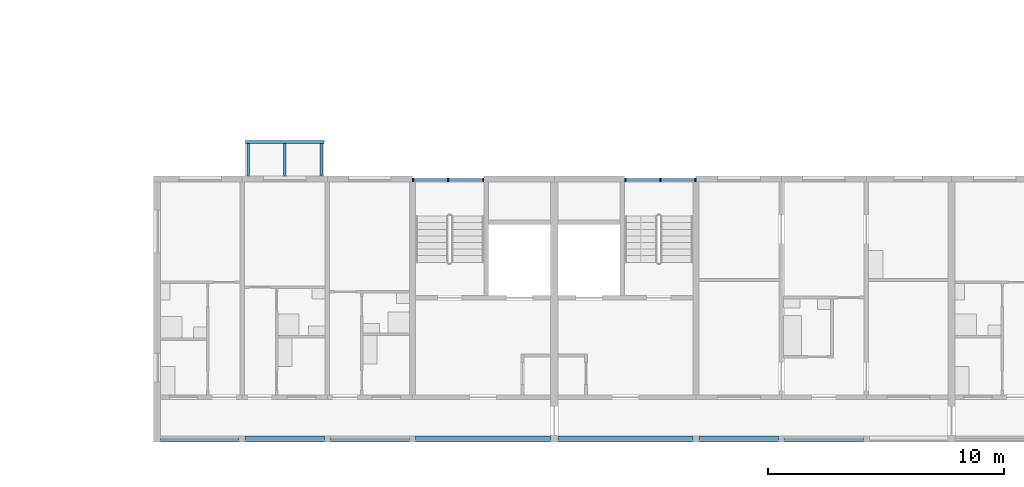
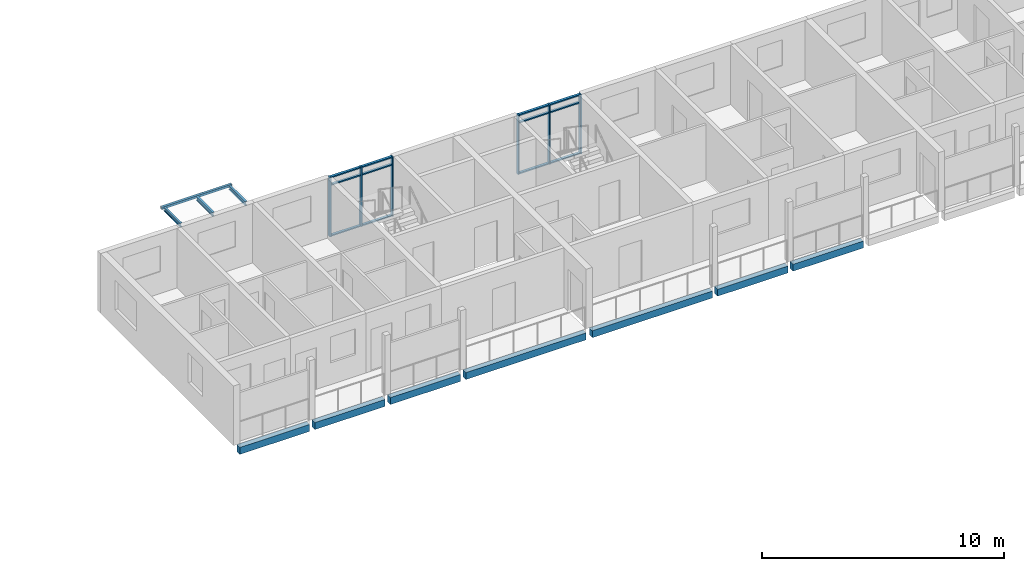
# One storey, part 13 of 93: 18 members, 11 beams, 2 elements without a shape of their own.
"""IFC4 building model written with IfcOpenShell, lengths in metres."""

from ifc_helpers import new_model, si_unit, direction, frame, origin, origin_2d, place, context, subcontext, project, spatial, rectangle, hollow_rectangle, i_section, extrude, material, material_profile, profile_set, type_object, element, aggregate, save


model = new_model("IFC4")

# Units and contexts
model_context = context("Model", 3, precision=1e-05, world=origin(), true_north=direction((0.0, 1.0)))
body_context = subcontext(model_context, "Body", "Model", "MODEL_VIEW")
ifc_project = project(units=[si_unit("LENGTHUNIT", "METRE"), si_unit("AREAUNIT", "SQUARE_METRE"), si_unit("VOLUMEUNIT", "CUBIC_METRE"), si_unit("PLANEANGLEUNIT", "RADIAN"), si_unit("MASSUNIT", "GRAM", prefix="KILO")], contexts=[model_context])

# Site, building, storey
site_placement = place(None, origin())
site = spatial("IfcSite", under=ifc_project, at=site_placement, CompositionType="ELEMENT")
building_placement = place(site_placement, origin())
building = spatial("IfcBuilding", under=site, at=building_placement, Name="Ridgestep Commons", CompositionType="ELEMENT")
storey_placement = place(building_placement, frame((0.0, 0.0, 18.0)))
storey = spatial("IfcBuildingStorey", under=building, at=storey_placement, Name="L06", CompositionType="ELEMENT", Elevation=18.0)

# Beams
ifc_material_1 = material(Name="Precast concrete C40/50", Category="concrete")
ifc_material_profile_1 = material_profile(ifc_material_1, rectangle(XDim=0.25, YDim=0.35009765625, at=origin_2d()), Name="PC 250x350")
ifc_profile_set_1 = profile_set([ifc_material_profile_1], Name="Precast concrete C40/50")
beam_type_1 = type_object("IfcBeamType", Name="Loggia edge beam 250 x 350", PredefinedType="SPANDREL", material=ifc_profile_set_1)
beam_1_placement = place(storey_placement, frame((146.949951171875, 11.875, -0.375), z_axis=(1.0, 0.0, 0.0), x_axis=(0.0, 1.0, 0.0)))
element("IfcBeam", 1, at=beam_1_placement, inside=storey, type_object=beam_type_1, Name="Loggia edge beam D1T1 L06", PredefinedType="SPANDREL", context=body_context, shape_type="SweptSolid", body=[
    extrude(rectangle(XDim=0.25, YDim=0.35009765625, at=origin_2d()), origin(), (0.0, 0.0, 1.0), 3.324951171875),
])
for number, where, z_axis, x_axis, name in (
    (2, (150.52490234375, 11.875, -0.375), (1.0, 0.0, 0.0), (0.0, 1.0, 0.0), "Loggia edge beam D1T2 L06"),
    (3, (154.125, 11.875, -0.375), (1.0, 0.0, 0.0), (0.0, 1.0, 0.0), "Loggia edge beam D1T3 L06"),
):
    element("IfcBeam", number, at=place(storey_placement, frame(where, z_axis=z_axis, x_axis=x_axis)), inside=storey, type_object=beam_type_1, Name=name, PredefinedType="SPANDREL", context=body_context, shape_type="SweptSolid", body=[
        extrude(rectangle(XDim=0.25, YDim=0.35009765625, at=origin_2d()), origin(), (0.0, 0.0, 1.0), 3.35009765625),
    ])
beam_2_placement = place(storey_placement, frame((157.72509765625, 11.875, -0.375), z_axis=(1.0, 0.0, 0.0), x_axis=(0.0, 1.0, 0.0)))
element("IfcBeam", 4, at=beam_2_placement, inside=storey, type_object=beam_type_1, Name="Loggia edge beam D1C L06", PredefinedType="SPANDREL", context=body_context, shape_type="SweptSolid", body=[
    extrude(rectangle(XDim=0.25, YDim=0.35009765625, at=origin_2d()), origin(), (0.0, 0.0, 1.0), 5.724853515625),
])
beam_3_placement = place(storey_placement, frame((163.75, 11.875, -0.375), z_axis=(1.0, 0.0, 0.0), x_axis=(0.0, 1.0, 0.0)))
element("IfcBeam", 5, at=beam_3_placement, inside=storey, type_object=beam_type_1, Name="Loggia edge beam D2C L06", PredefinedType="SPANDREL", context=body_context, shape_type="SweptSolid", body=[
    extrude(rectangle(XDim=0.25, YDim=0.35009765625, at=origin_2d()), origin(), (0.0, 0.0, 1.0), 5.72509765625),
])
beam_4_placement = place(storey_placement, frame((169.72509765625, 11.875, -0.375), z_axis=(1.0, 0.0, 0.0), x_axis=(0.0, 1.0, 0.0)))
element("IfcBeam", 6, at=beam_4_placement, inside=storey, type_object=beam_type_1, Name="Loggia edge beam D2T3 L06", PredefinedType="SPANDREL", context=body_context, shape_type="SweptSolid", body=[
    extrude(rectangle(XDim=0.25, YDim=0.35009765625, at=origin_2d()), origin(), (0.0, 0.0, 1.0), 3.349853515625),
])
beam_5_placement = place(storey_placement, frame((173.324951171875, 11.875, -0.375), z_axis=(1.0, 0.0, 0.0), x_axis=(0.0, 1.0, 0.0)))
element("IfcBeam", 7, at=beam_5_placement, inside=storey, type_object=beam_type_1, Name="Loggia edge beam D2T2 L06", PredefinedType="SPANDREL", context=body_context, shape_type="SweptSolid", body=[
    extrude(rectangle(XDim=0.25, YDim=0.35009765625, at=origin_2d()), origin(), (0.0, 0.0, 1.0), 3.35009765625),
])

# Curtain wall, members
ifc_material_2 = material(Name="Aluminium 6063-T6 and glass", Category="aluminium")
curtain_wall_type = type_object("IfcCurtainWallType", Name="Curtain wall stair strip", PredefinedType="NOTDEFINED", material=ifc_material_2)
curtain_wall_1_placement = place(storey_placement, origin())
curtain_wall_1 = element("IfcCurtainWall", 8, at=curtain_wall_1_placement, inside=storey, type_object=curtain_wall_type, Name="Curtain wall D1C level 06", PredefinedType="NOTDEFINED")
ifc_material_3 = material(Name="Aluminium 6063-T6", Category="aluminium")
ifc_material_profile_2 = material_profile(ifc_material_3, rectangle(XDim=0.159912109375, YDim=0.06005859375, at=origin_2d()), Name="Mullion 60 x 160")
ifc_profile_set_2 = profile_set([ifc_material_profile_2], Name="Aluminium 6063-T6")
member_type_1 = type_object("IfcMemberType", Name="Mullion 60 x 160", PredefinedType="MULLION", material=ifc_profile_set_2)
member_1_placement = place(storey_placement, frame((157.6298828125, 22.830078125, 0.0), z_axis=(0.0, 0.0, 1.0), x_axis=(0.0, 1.0, 0.0)))
member_1 = element("IfcMember", 9, at=member_1_placement, type_object=member_type_1, Name="CW1 mullion 1", PredefinedType="MULLION", context=body_context, shape_type="SweptSolid", body=[
    extrude(rectangle(XDim=0.159912109375, YDim=0.06005859375, at=origin_2d()), origin(), (0.0, 0.0, 1.0), 3.0),
])
member_2_placement = place(storey_placement, frame((159.112548828125, 22.830078125, 0.0), z_axis=(0.0, 0.0, 1.0), x_axis=(0.0, 1.0, 0.0)))
member_2 = element("IfcMember", 10, at=member_2_placement, type_object=member_type_1, Name="CW1 mullion 2", PredefinedType="MULLION", context=body_context, shape_type="SweptSolid", body=[
    extrude(rectangle(XDim=0.159912109375, YDim=0.06005859375, at=origin_2d()), origin(), (0.0, 0.0, 1.0), 3.0),
])
member_3_placement = place(storey_placement, frame((160.594970703125, 22.830078125, 0.0), z_axis=(0.0, 0.0, 1.0), x_axis=(0.0, 1.0, 0.0)))
member_3 = element("IfcMember", 11, at=member_3_placement, type_object=member_type_1, Name="CW1 mullion 3", PredefinedType="MULLION", context=body_context, shape_type="SweptSolid", body=[
    extrude(rectangle(XDim=0.159912109375, YDim=0.06005859375, at=origin_2d()), origin(), (0.0, 0.0, 1.0), 3.0),
])

curtain_wall_2_placement = place(storey_placement, origin())
curtain_wall_2 = element("IfcCurtainWall", 12, at=curtain_wall_2_placement, inside=storey, type_object=curtain_wall_type, Name="Curtain wall D2C level 06", PredefinedType="NOTDEFINED")
member_4_placement = place(storey_placement, frame((166.60498046875, 22.830078125, 0.0), z_axis=(0.0, 0.0, 1.0), x_axis=(0.0, 1.0, 0.0)))
member_4 = element("IfcMember", 13, at=member_4_placement, type_object=member_type_1, Name="CW1 mullion 1", PredefinedType="MULLION", context=body_context, shape_type="SweptSolid", body=[
    extrude(rectangle(XDim=0.159912109375, YDim=0.06005859375, at=origin_2d()), origin(), (0.0, 0.0, 1.0), 3.0),
])
member_5_placement = place(storey_placement, frame((168.08740234375, 22.830078125, 0.0), z_axis=(0.0, 0.0, 1.0), x_axis=(0.0, 1.0, 0.0)))
member_5 = element("IfcMember", 14, at=member_5_placement, type_object=member_type_1, Name="CW1 mullion 2", PredefinedType="MULLION", context=body_context, shape_type="SweptSolid", body=[
    extrude(rectangle(XDim=0.159912109375, YDim=0.06005859375, at=origin_2d()), origin(), (0.0, 0.0, 1.0), 3.0),
])
member_6_placement = place(storey_placement, frame((169.570068359375, 22.830078125, 0.0), z_axis=(0.0, 0.0, 1.0), x_axis=(0.0, 1.0, 0.0)))
member_6 = element("IfcMember", 15, at=member_6_placement, type_object=member_type_1, Name="CW1 mullion 3", PredefinedType="MULLION", context=body_context, shape_type="SweptSolid", body=[
    extrude(rectangle(XDim=0.159912109375, YDim=0.06005859375, at=origin_2d()), origin(), (0.0, 0.0, 1.0), 3.0),
])

# Member
ifc_material_4 = material(Name="Aluminium 6063-T6", Category="aluminium")
ifc_material_profile_3 = material_profile(ifc_material_4, rectangle(XDim=0.1201171875, YDim=0.06005859375, at=origin_2d()), Name="Transom 60 x 120")
ifc_profile_set_3 = profile_set([ifc_material_profile_3], Name="Aluminium 6063-T6")
member_type_2 = type_object("IfcMemberType", Name="Transom 60 x 120", PredefinedType="USERDEFINED", material=ifc_profile_set_3)
member_7_placement = place(storey_placement, frame((157.659912109375, 22.830078125, 0.030029296875), z_axis=(1.0, 0.0, 0.0), x_axis=(0.0, 1.0, 0.0)))
member_7 = element("IfcMember", 16, at=member_7_placement, type_object=member_type_2, Name="CW1 transom 1.1", ObjectType="TRANSOM", PredefinedType="USERDEFINED", context=body_context, shape_type="SweptSolid", body=[
    extrude(rectangle(XDim=0.1201171875, YDim=0.06005859375, at=origin_2d()), origin(), (0.0, 0.0, 1.0), 1.422607421875),
])

member_8_placement = place(storey_placement, frame((157.659912109375, 22.830078125, 2.590087890625), z_axis=(1.0, 0.0, 0.0), x_axis=(0.0, 1.0, 0.0)))
member_8 = element("IfcMember", 17, at=member_8_placement, type_object=member_type_2, Name="CW1 transom 1.2", ObjectType="TRANSOM", PredefinedType="USERDEFINED", context=body_context, shape_type="SweptSolid", body=[
    extrude(rectangle(XDim=0.1201171875, YDim=0.06005859375, at=origin_2d()), origin(), (0.0, 0.0, 1.0), 1.422607421875),
])

member_9_placement = place(storey_placement, frame((157.659912109375, 22.830078125, 2.969970703125), z_axis=(1.0, 0.0, 0.0), x_axis=(0.0, 1.0, 0.0)))
member_9 = element("IfcMember", 18, at=member_9_placement, type_object=member_type_2, Name="CW1 transom 1.3", ObjectType="TRANSOM", PredefinedType="USERDEFINED", context=body_context, shape_type="SweptSolid", body=[
    extrude(rectangle(XDim=0.1201171875, YDim=0.06005859375, at=origin_2d()), origin(), (0.0, 0.0, 1.0), 1.422607421875),
])

member_10_placement = place(storey_placement, frame((159.142578125, 22.830078125, 0.030029296875), z_axis=(1.0, 0.0, 0.0), x_axis=(0.0, 1.0, 0.0)))
member_10 = element("IfcMember", 19, at=member_10_placement, type_object=member_type_2, Name="CW1 transom 2.1", ObjectType="TRANSOM", PredefinedType="USERDEFINED", context=body_context, shape_type="SweptSolid", body=[
    extrude(rectangle(XDim=0.1201171875, YDim=0.06005859375, at=origin_2d()), origin(), (0.0, 0.0, 1.0), 1.42236328125),
])

member_11_placement = place(storey_placement, frame((159.142578125, 22.830078125, 2.590087890625), z_axis=(1.0, 0.0, 0.0), x_axis=(0.0, 1.0, 0.0)))
member_11 = element("IfcMember", 20, at=member_11_placement, type_object=member_type_2, Name="CW1 transom 2.2", ObjectType="TRANSOM", PredefinedType="USERDEFINED", context=body_context, shape_type="SweptSolid", body=[
    extrude(rectangle(XDim=0.1201171875, YDim=0.06005859375, at=origin_2d()), origin(), (0.0, 0.0, 1.0), 1.42236328125),
])

member_12_placement = place(storey_placement, frame((159.142578125, 22.830078125, 2.969970703125), z_axis=(1.0, 0.0, 0.0), x_axis=(0.0, 1.0, 0.0)))
member_12 = element("IfcMember", 21, at=member_12_placement, type_object=member_type_2, Name="CW1 transom 2.3", ObjectType="TRANSOM", PredefinedType="USERDEFINED", context=body_context, shape_type="SweptSolid", body=[
    extrude(rectangle(XDim=0.1201171875, YDim=0.06005859375, at=origin_2d()), origin(), (0.0, 0.0, 1.0), 1.42236328125),
])

aggregate(curtain_wall_1, [member_1, member_2, member_3, member_7, member_8, member_9, member_10, member_11, member_12])

member_13_placement = place(storey_placement, frame((166.635009765625, 22.830078125, 0.030029296875), z_axis=(1.0, 0.0, 0.0), x_axis=(0.0, 1.0, 0.0)))
member_13 = element("IfcMember", 22, at=member_13_placement, type_object=member_type_2, Name="CW1 transom 1.1", ObjectType="TRANSOM", PredefinedType="USERDEFINED", context=body_context, shape_type="SweptSolid", body=[
    extrude(rectangle(XDim=0.1201171875, YDim=0.06005859375, at=origin_2d()), origin(), (0.0, 0.0, 1.0), 1.422607421875),
])

member_14_placement = place(storey_placement, frame((166.635009765625, 22.830078125, 2.590087890625), z_axis=(1.0, 0.0, 0.0), x_axis=(0.0, 1.0, 0.0)))
member_14 = element("IfcMember", 23, at=member_14_placement, type_object=member_type_2, Name="CW1 transom 1.2", ObjectType="TRANSOM", PredefinedType="USERDEFINED", context=body_context, shape_type="SweptSolid", body=[
    extrude(rectangle(XDim=0.1201171875, YDim=0.06005859375, at=origin_2d()), origin(), (0.0, 0.0, 1.0), 1.422607421875),
])

member_15_placement = place(storey_placement, frame((166.635009765625, 22.830078125, 2.969970703125), z_axis=(1.0, 0.0, 0.0), x_axis=(0.0, 1.0, 0.0)))
member_15 = element("IfcMember", 24, at=member_15_placement, type_object=member_type_2, Name="CW1 transom 1.3", ObjectType="TRANSOM", PredefinedType="USERDEFINED", context=body_context, shape_type="SweptSolid", body=[
    extrude(rectangle(XDim=0.1201171875, YDim=0.06005859375, at=origin_2d()), origin(), (0.0, 0.0, 1.0), 1.422607421875),
])

member_16_placement = place(storey_placement, frame((168.117431640625, 22.830078125, 0.030029296875), z_axis=(1.0, 0.0, 0.0), x_axis=(0.0, 1.0, 0.0)))
member_16 = element("IfcMember", 25, at=member_16_placement, type_object=member_type_2, Name="CW1 transom 2.1", ObjectType="TRANSOM", PredefinedType="USERDEFINED", context=body_context, shape_type="SweptSolid", body=[
    extrude(rectangle(XDim=0.1201171875, YDim=0.06005859375, at=origin_2d()), origin(), (0.0, 0.0, 1.0), 1.422607421875),
])

member_17_placement = place(storey_placement, frame((168.117431640625, 22.830078125, 2.590087890625), z_axis=(1.0, 0.0, 0.0), x_axis=(0.0, 1.0, 0.0)))
member_17 = element("IfcMember", 26, at=member_17_placement, type_object=member_type_2, Name="CW1 transom 2.2", ObjectType="TRANSOM", PredefinedType="USERDEFINED", context=body_context, shape_type="SweptSolid", body=[
    extrude(rectangle(XDim=0.1201171875, YDim=0.06005859375, at=origin_2d()), origin(), (0.0, 0.0, 1.0), 1.422607421875),
])

member_18_placement = place(storey_placement, frame((168.117431640625, 22.830078125, 2.969970703125), z_axis=(1.0, 0.0, 0.0), x_axis=(0.0, 1.0, 0.0)))
member_18 = element("IfcMember", 27, at=member_18_placement, type_object=member_type_2, Name="CW1 transom 2.3", ObjectType="TRANSOM", PredefinedType="USERDEFINED", context=body_context, shape_type="SweptSolid", body=[
    extrude(rectangle(XDim=0.1201171875, YDim=0.06005859375, at=origin_2d()), origin(), (0.0, 0.0, 1.0), 1.422607421875),
])

aggregate(curtain_wall_2, [member_4, member_5, member_6, member_13, member_14, member_15, member_16, member_17, member_18])

# Beams
ifc_material_5 = material(Name="Weathering steel S355J2W", Category="steel")
ifc_material_profile_4 = material_profile(ifc_material_5, i_section(OverallWidth=0.101806640625, OverallDepth=0.203125, WebThickness=0.00537109375, FlangeThickness=0.00927734375, FilletRadius=0.007568359375, at=origin_2d()), Name="UB 203x102x23")
ifc_profile_set_4 = profile_set([ifc_material_profile_4], Name="Weathering steel S355J2W")
beam_type_2 = type_object("IfcBeamType", Name="Tray arm UB 203x102x23", PredefinedType="BEAM", material=ifc_profile_set_4)
for number, where, z_axis, x_axis, name in (
    (28, (150.64990234375, 23.014892578125, 2.888427734375), (0.0, 1.0, 0.0), (-1.0, 0.0, 0.0), "Tray arm D1T2-07.1"),
    (29, (152.199951171875, 23.014892578125, 2.888427734375), (0.0, 1.0, 0.0), (-1.0, 0.0, 0.0), "Tray arm D1T2-07.2"),
    (30, (153.75, 23.014892578125, 2.888427734375), (0.0, 1.0, 0.0), (-1.0, 0.0, 0.0), "Tray arm D1T2-07.3"),
):
    element("IfcBeam", number, at=place(storey_placement, frame(where, z_axis=z_axis, x_axis=x_axis)), inside=storey, type_object=beam_type_2, Name=name, PredefinedType="BEAM", context=body_context, shape_type="SweptSolid", body=[
        extrude(i_section(OverallWidth=0.101806640625, OverallDepth=0.203125, WebThickness=0.00537109375, FlangeThickness=0.00927734375, FilletRadius=0.007568359375, at=origin_2d()), origin(), (0.0, 0.0, 1.0), 1.364990234375),
    ])
ifc_material_6 = material(Name="Weathering steel S355J2W", Category="steel")
ifc_material_profile_5 = material_profile(ifc_material_6, hollow_rectangle(XDim=0.1201171875, YDim=0.1201171875, WallThickness=0.00634765625, InnerFilletRadius=0.00634765625, OuterFilletRadius=0.009521484375, at=origin_2d()), Name="SHS 120x120x6.3")
ifc_profile_set_5 = profile_set([ifc_material_profile_5], Name="Weathering steel S355J2W")
beam_type_3 = type_object("IfcBeamType", Name="Tray edge member SHS 120x120x6.3", PredefinedType="BEAM", material=ifc_profile_set_5)
beam_6_placement = place(storey_placement, frame((150.530029296875, 24.43994140625, 2.929931640625), z_axis=(1.0, 0.0, 0.0), x_axis=(0.0, 0.0, 1.0)))
element("IfcBeam", 31, at=beam_6_placement, inside=storey, type_object=beam_type_3, Name="Tray edge member D1T2-07", PredefinedType="BEAM", context=body_context, shape_type="SweptSolid", body=[
    extrude(hollow_rectangle(XDim=0.1201171875, YDim=0.1201171875, WallThickness=0.00634765625, InnerFilletRadius=0.00634765625, OuterFilletRadius=0.009521484375, at=origin_2d()), origin(), (0.0, 0.0, 1.0), 3.340087890625),
])

save(model, "model.ifc")
